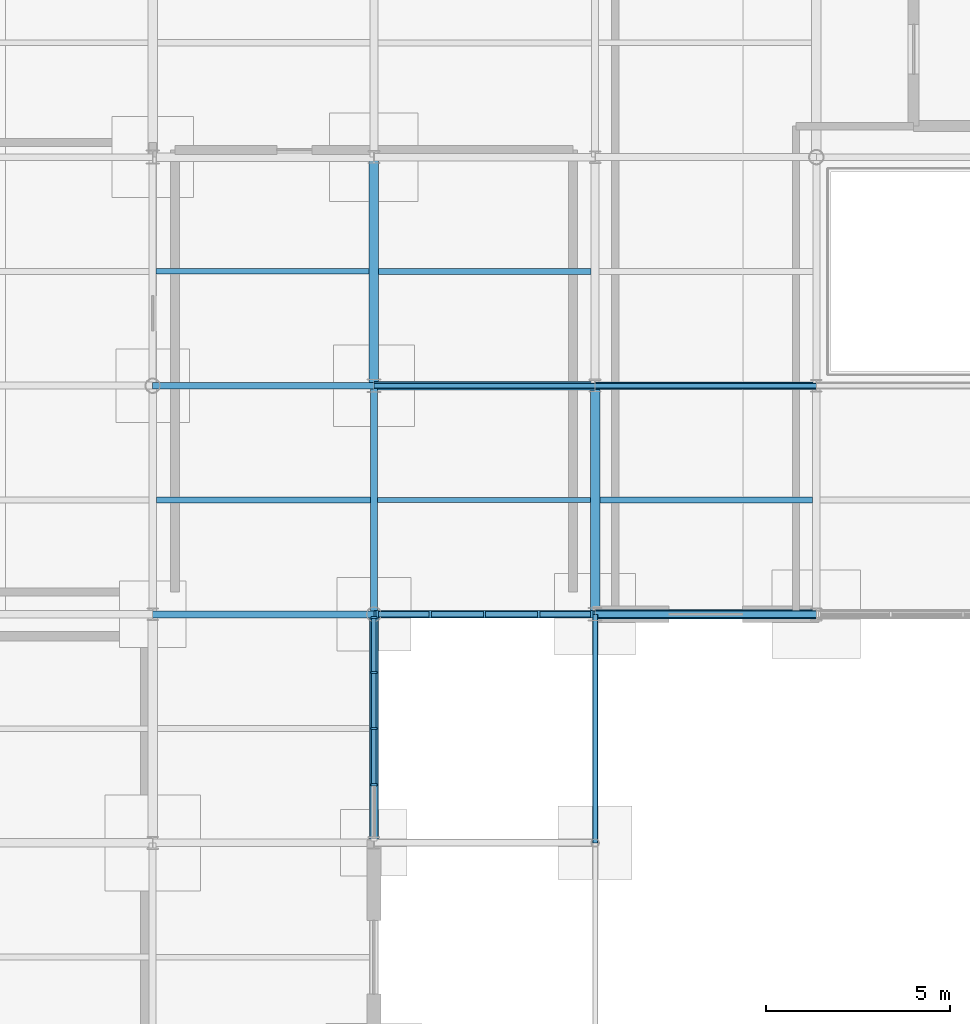
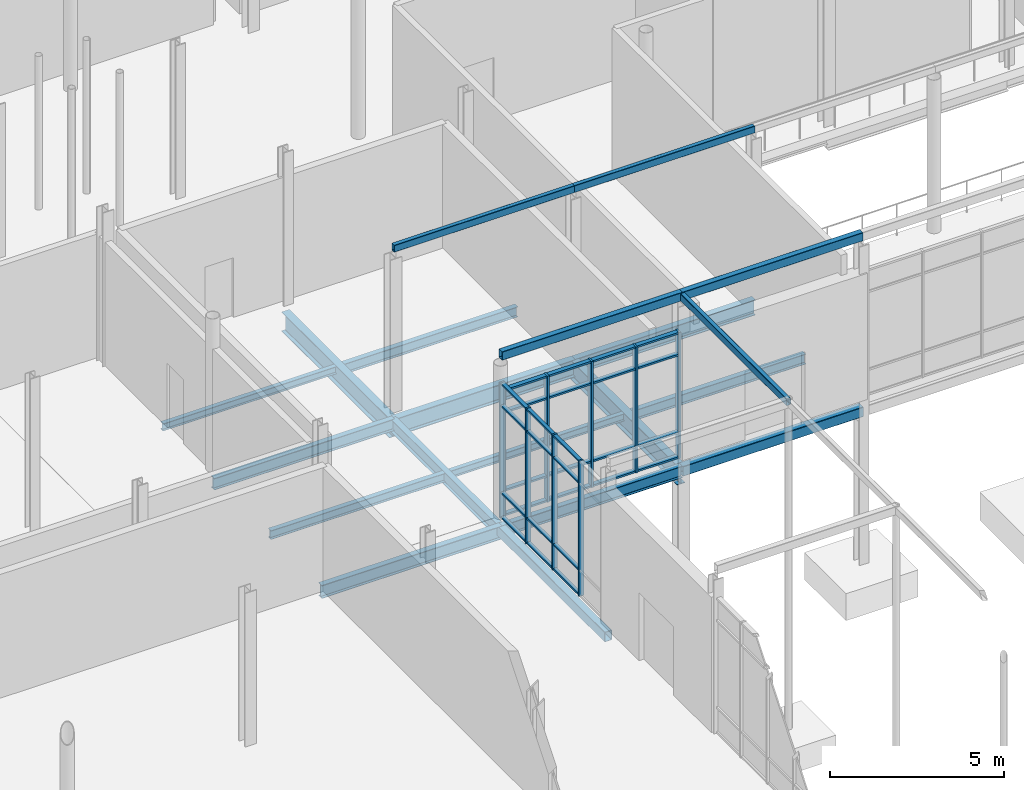
# One storey, part 32 of 98: 37 members, 20 beams, 2 elements without a shape of their own.
"""IFC4 building model written with IfcOpenShell, lengths in metres."""

import ifcopenshell
import ifcopenshell.guid

model = None  # the IFC model being written
_history = None  # IfcOwnerHistory: only IFC2X3 demands one
_inside = {}  # id of a spatial element -> (the spatial element, [elements in it])
_under = {}  # id of a project, library or spatial element -> (it, [spatial elements below it])
_declared = {}  # id of a project -> (the project, [libraries it declares])
_typed = {}  # id of a type object -> (the type object, [elements of that type])
_made_of = {}  # id of a material, layer set ... -> (it, [elements and type objects made of it])


def new_model(schema):
    """Start an empty IFC model of exactly this schema.

    Asked for "IFC4X3", IfcOpenShell would pick the latest addendum, in which some entities
    have other attributes; the version numbers below select the first issue.
    IFC2X3 requires an IfcOwnerHistory on every rooted entity: one is made here for all.
    """
    global model, _history
    if schema == "IFC4X3":
        model = ifcopenshell.file(schema_version=(4, 3, 0, 0))
    else:
        model = ifcopenshell.file(schema=schema)
    _inside.clear()
    _under.clear()
    _declared.clear()
    _typed.clear()
    _made_of.clear()
    _history = None
    if model.schema == "IFC2X3":
        org = make("IfcOrganization", Name="unknown")
        user = make(
            "IfcPersonAndOrganization",
            ThePerson=make("IfcPerson", FamilyName="unknown"),
            TheOrganization=org,
        )
        app = make(
            "IfcApplication",
            ApplicationDeveloper=org,
            Version="unknown",
            ApplicationFullName="unknown",
            ApplicationIdentifier="unknown",
        )
        _history = make(
            "IfcOwnerHistory",
            OwningUser=user,
            OwningApplication=app,
            ChangeAction="ADDED",
            CreationDate=0,
        )
    return model


def make(cls, **values):
    """One entity of the class cls with the attributes given. An attribute that is None is left unset."""
    return model.create_entity(
        cls, **{name: value for name, value in values.items() if value is not None}
    )


def rooted(cls, **values):
    """An entity with a GlobalId (a new one), such as an element, a storey or a relation."""
    return make(cls, GlobalId=ifcopenshell.guid.new(), OwnerHistory=_history, **values)


def si_unit(unit_type, name, prefix=None):
    """IfcSIUnit, for example si_unit("LENGTHUNIT", "METRE", prefix="MILLI")."""
    return make("IfcSIUnit", UnitType=unit_type, Prefix=prefix, Name=name)


def assignment(units):
    """IfcUnitAssignment: the units of a project."""
    return None if units is None else make("IfcUnitAssignment", Units=units)


def point(xyz):
    """IfcCartesianPoint."""
    return None if xyz is None else make("IfcCartesianPoint", Coordinates=xyz)


def direction(xyz):
    """IfcDirection."""
    return None if xyz is None else make("IfcDirection", DirectionRatios=xyz)


def frame(location, z_axis=None, x_axis=None):
    """IfcAxis2Placement3D, a coordinate frame: its origin and axes. An axis left out is left unset."""
    return make(
        "IfcAxis2Placement3D",
        Location=point(location),
        Axis=direction(z_axis),
        RefDirection=direction(x_axis),
    )


def frame_2d(location, x_axis=None):
    """IfcAxis2Placement2D, a coordinate frame in the plane: its origin and x axis."""
    return make(
        "IfcAxis2Placement2D", Location=point(location), RefDirection=direction(x_axis)
    )


def origin():
    """The frame at (0, 0, 0) with its axes left unset."""
    return frame((0.0, 0.0, 0.0))


def origin_2d():
    """The frame at (0, 0) in the plane with its x axis left unset."""
    return frame_2d((0.0, 0.0))


def place(relative_to, where):
    """IfcLocalPlacement: puts the frame where relative to a parent placement (None: the world)."""
    return make(
        "IfcLocalPlacement", PlacementRelTo=relative_to, RelativePlacement=where
    )


def context(
    kind, dimensions, precision=None, world=None, true_north=None, identifier=None
):
    """IfcGeometricRepresentationContext, for example the 3D "Model" context."""
    return make(
        "IfcGeometricRepresentationContext",
        ContextIdentifier=identifier,
        ContextType=kind,
        CoordinateSpaceDimension=dimensions,
        Precision=precision,
        WorldCoordinateSystem=world,
        TrueNorth=true_north,
    )


def subcontext(parent, identifier, kind, view, scale=None):
    """IfcGeometricRepresentationSubContext, for example "Body" below "Model"."""
    return make(
        "IfcGeometricRepresentationSubContext",
        ContextIdentifier=identifier,
        ContextType=kind,
        ParentContext=parent,
        TargetScale=scale,
        TargetView=view,
    )


def project(units=None, contexts=None):
    """IfcProject with its units and contexts."""
    return rooted(
        "IfcProject",
        Name="project",
        RepresentationContexts=contexts,
        UnitsInContext=assignment(units),
    )


def spatial(cls, under=None, at=None, **own):
    """A site, building, storey or space (cls), placed at a placement, below another one or the project."""
    s = rooted(cls, ObjectPlacement=at, **own)
    if under is not None:
        _under.setdefault(under.id(), (under, []))[1].append(s)
    return s


def profile(cls, at=None, kind="AREA", **sizes):
    """A parametric profile (cls). Its sizes go by their IFC names, for example OverallWidth=200.0."""
    return make(cls, ProfileType=kind, Position=at, **sizes)


def rectangle(**sizes):
    """IfcRectangleProfileDef."""
    return profile("IfcRectangleProfileDef", **sizes)


def hollow_rectangle(**sizes):
    """IfcRectangleHollowProfileDef."""
    return profile("IfcRectangleHollowProfileDef", **sizes)


def i_section(**sizes):
    """IfcIShapeProfileDef."""
    return profile("IfcIShapeProfileDef", **sizes)


def extrude(swept, where, along, depth):
    """IfcExtrudedAreaSolid: the profile swept, set in the frame where, extruded along a direction by depth."""
    return make(
        "IfcExtrudedAreaSolid",
        SweptArea=swept,
        Position=where,
        ExtrudedDirection=direction(along),
        Depth=depth,
    )


def shape(context_of_items, identifier, shape_type, items):
    """IfcShapeRepresentation: the items that make up one representation, for example the "Body"."""
    return make(
        "IfcShapeRepresentation",
        ContextOfItems=context_of_items,
        RepresentationIdentifier=identifier,
        RepresentationType=shape_type,
        Items=items,
    )


def material(Name=None, Category=None):
    """IfcMaterial."""
    return make("IfcMaterial", Name=Name, Category=Category)


def layer(
    of_material, thickness, ventilated=None, Name=None, Category=None, Priority=None
):
    """IfcMaterialLayer: one layer of a wall or slab, of a material (None: an air gap)."""
    return make(
        "IfcMaterialLayer",
        Material=of_material,
        LayerThickness=thickness,
        IsVentilated=ventilated,
        Name=Name,
        Category=Category,
        Priority=Priority,
    )


def layer_set(layers, Name=None):
    """IfcMaterialLayerSet."""
    return make("IfcMaterialLayerSet", MaterialLayers=layers, LayerSetName=Name)


def material_profile(
    of_material, cross_section, Name=None, Category=None, Priority=None
):
    """IfcMaterialProfile: a cross section and its material."""
    return make(
        "IfcMaterialProfile",
        Name=Name,
        Material=of_material,
        Profile=cross_section,
        Priority=Priority,
        Category=Category,
    )


def profile_set(profiles, Name=None, composite=None):
    """IfcMaterialProfileSet."""
    return make(
        "IfcMaterialProfileSet",
        Name=Name,
        MaterialProfiles=profiles,
        CompositeProfile=composite,
    )


def made_of(thing, what):
    """Note that an element or type object is made of a material, layer set ...; save() writes the relation."""
    if what is not None:
        _made_of.setdefault(what.id(), (what, []))[1].append(thing)
    return thing


def type_object(cls, material=None, **own):
    """A type object (cls), such as IfcWallType, which elements share."""
    return made_of(rooted(cls, **own), material)


def element(
    cls,
    number,
    at=None,
    inside=None,
    cuts=None,
    type_object=None,
    material=None,
    context=None,
    identifier="Body",
    shape_type=None,
    held_by="IfcProductDefinitionShape",
    body=None,
    shapes=None,
    **own,
):
    """One element of the class cls, such as IfcWall. Its Tag is "e" and its number.

    at: its placement. inside: the storey or other place that contains it. cuts: it is an
    opening in that element (IfcRelVoidsElement). A single representation is given by context,
    identifier, shape_type and body (its items); several are given by shapes. held_by: the class
    of the entity that holds the representations. save() writes the other relations.
    """
    e = rooted(cls, Tag="e%d" % number, ObjectPlacement=at, **own)
    if body is not None:
        shapes = [shape(context, identifier, shape_type, body)]
    if shapes is not None:
        e.Representation = make(held_by, Representations=shapes)
    if inside is not None:
        _inside.setdefault(inside.id(), (inside, []))[1].append(e)
    if cuts is not None:
        rooted(
            "IfcRelVoidsElement", RelatingBuildingElement=cuts, RelatedOpeningElement=e
        )
    if type_object is not None:
        _typed.setdefault(type_object.id(), (type_object, []))[1].append(e)
    return made_of(e, material)


def aggregate(whole, parts):
    """IfcRelAggregates: a whole, such as a stair, and the parts it consists of."""
    return rooted("IfcRelAggregates", RelatingObject=whole, RelatedObjects=parts)


def save(model, path):
    """Write the relations noted so far, then the file.

    IfcRelAggregates (storeys below a building ...), IfcRelContainedInSpatialStructure (elements
    in a storey), IfcRelDefinesByType, IfcRelAssociatesMaterial and IfcRelDeclares: one each for
    every whole, place, type object, material and project.
    """
    for whole, parts in _under.values():
        aggregate(whole, parts)
    for where, things in _inside.values():
        rooted(
            "IfcRelContainedInSpatialStructure",
            RelatedElements=things,
            RelatingStructure=where,
        )
    for kind, things in _typed.values():
        rooted("IfcRelDefinesByType", RelatedObjects=things, RelatingType=kind)
    for what, things in _made_of.values():
        rooted("IfcRelAssociatesMaterial", RelatedObjects=things, RelatingMaterial=what)
    for by, libraries in _declared.values():
        rooted("IfcRelDeclares", RelatingContext=by, RelatedDefinitions=libraries)
    model.write(path)


model = new_model("IFC4")

# Units and contexts
model_context = context("Model", 3, precision=1e-05, world=origin(), true_north=direction((0.0, 1.0)))
body_context = subcontext(model_context, "Body", "Model", "MODEL_VIEW")
ifc_project = project(units=[si_unit("LENGTHUNIT", "METRE"), si_unit("AREAUNIT", "SQUARE_METRE"), si_unit("VOLUMEUNIT", "CUBIC_METRE"), si_unit("PLANEANGLEUNIT", "RADIAN"), si_unit("MASSUNIT", "GRAM", prefix="KILO")], contexts=[model_context])

# Site, building, storey
site_placement = place(None, origin())
site = spatial("IfcSite", under=ifc_project, at=site_placement, CompositionType="ELEMENT")
building_placement = place(site_placement, origin())
building = spatial("IfcBuilding", under=site, at=building_placement, Name="Mirzam Square Science Centre", CompositionType="ELEMENT")
storey_placement = place(building_placement, origin())
storey = spatial("IfcBuildingStorey", under=building, at=storey_placement, Name="L00", CompositionType="ELEMENT", Elevation=0.0)

# Beams
ifc_material_1 = material(Name="Steel S355", Category="steel")
ifc_material_profile_1 = material_profile(ifc_material_1, i_section(OverallWidth=0.1787109375, OverallDepth=0.409423828125, WebThickness=0.0087890625, FlangeThickness=0.014404296875, FilletRadius=0.01025390625, at=origin_2d()), Name="406x178x67UB")
ifc_profile_set_1 = profile_set([ifc_material_profile_1], Name="Steel S355")
beam_type_1 = type_object("IfcBeamType", Name="BM-UB406", PredefinedType="BEAM", material=ifc_profile_set_1)
for number, where, z_axis, x_axis, name in (
    (1, (30.0, 37.199951171875, -0.504638671875), (1.0, 0.0, 0.0), (0.0, 1.0, 0.0), "L00 girder X6-7"),
    (2, (24.0, 43.39990234375, -0.504638671875), (1.0, 0.0, 0.0), (0.0, 1.0, 0.0), "L00 girder X5-8"),
):
    element("IfcBeam", number, at=place(storey_placement, frame(where, z_axis=z_axis, x_axis=x_axis)), inside=storey, type_object=beam_type_1, Name=name, PredefinedType="BEAM", context=body_context, shape_type="SweptSolid", body=[
        extrude(i_section(OverallWidth=0.1787109375, OverallDepth=0.409423828125, WebThickness=0.0087890625, FlangeThickness=0.014404296875, FilletRadius=0.01025390625, at=origin_2d()), origin(), (0.0, 0.0, 1.0), 6.0),
    ])
ifc_material_profile_2 = material_profile(ifc_material_1, i_section(OverallWidth=0.19140625, OverallDepth=0.4599609375, WebThickness=0.010009765625, FlangeThickness=0.01611328125, FilletRadius=0.01025390625, at=origin_2d()), Name="457x191x82UB")
ifc_profile_set_2 = profile_set([ifc_material_profile_2], Name="Steel S355")
beam_type_2 = type_object("IfcBeamType", Name="BM-UB457", PredefinedType="BEAM", material=ifc_profile_set_2)
beam_1_placement = place(storey_placement, frame((24.0, 37.199951171875, -0.530029296875), z_axis=(1.0, 0.0, 0.0), x_axis=(0.0, 1.0, 0.0)))
element("IfcBeam", 3, at=beam_1_placement, inside=storey, type_object=beam_type_2, Name="L00 girder X5-7", PredefinedType="BEAM", context=body_context, shape_type="SweptSolid", body=[
    extrude(i_section(OverallWidth=0.19140625, OverallDepth=0.4599609375, WebThickness=0.010009765625, FlangeThickness=0.01611328125, FilletRadius=0.01025390625, at=origin_2d()), origin(), (0.0, 0.0, 1.0), 6.0),
])
beam_2_placement = place(storey_placement, frame((30.0, 37.199951171875, -0.530029296875), z_axis=(0.0, 1.0, 0.0), x_axis=(-1.0, 0.0, 0.0)))
element("IfcBeam", 4, at=beam_2_placement, inside=storey, type_object=beam_type_2, Name="L00 girder Y6-7", PredefinedType="BEAM", context=body_context, shape_type="SweptSolid", body=[
    extrude(i_section(OverallWidth=0.19140625, OverallDepth=0.4599609375, WebThickness=0.010009765625, FlangeThickness=0.01611328125, FilletRadius=0.01025390625, at=origin_2d()), origin(), (0.0, 0.0, 1.0), 6.199951171875),
])
ifc_material_profile_3 = material_profile(ifc_material_1, i_section(OverallWidth=0.2099609375, OverallDepth=0.53662109375, WebThickness=0.0107421875, FlangeThickness=0.017333984375, FilletRadius=0.0126953125, at=origin_2d()), Name="533x210x101UB")
ifc_profile_set_3 = profile_set([ifc_material_profile_3], Name="Steel S355")
beam_type_3 = type_object("IfcBeamType", Name="BM-UB533", PredefinedType="BEAM", material=ifc_profile_set_3)
beam_3_placement = place(storey_placement, frame((36.0, 43.39990234375, -0.568359375), z_axis=(1.0, 0.0, 0.0), x_axis=(0.0, 1.0, 0.0)))
element("IfcBeam", 5, at=beam_3_placement, inside=storey, type_object=beam_type_3, Name="L00 girder X7-8", PredefinedType="BEAM", context=body_context, shape_type="SweptSolid", body=[
    extrude(i_section(OverallWidth=0.2099609375, OverallDepth=0.53662109375, WebThickness=0.0107421875, FlangeThickness=0.017333984375, FilletRadius=0.0126953125, at=origin_2d()), origin(), (0.0, 0.0, 1.0), 6.0),
])
ifc_material_profile_4 = material_profile(ifc_material_1, i_section(OverallWidth=0.22900390625, OverallDepth=0.6123046875, WebThickness=0.011962890625, FlangeThickness=0.01953125, FilletRadius=0.0126953125, at=origin_2d()), Name="610x229x125UB")
ifc_profile_set_4 = profile_set([ifc_material_profile_4], Name="Steel S355")
beam_type_4 = type_object("IfcBeamType", Name="BM-UB610", PredefinedType="BEAM", material=ifc_profile_set_4)
beam_4_placement = place(storey_placement, frame((30.0, 43.39990234375, -0.606201171875), z_axis=(1.0, 0.0, 0.0), x_axis=(0.0, 1.0, 0.0)))
element("IfcBeam", 6, at=beam_4_placement, inside=storey, type_object=beam_type_4, Name="L00 girder X6-8", PredefinedType="BEAM", context=body_context, shape_type="SweptSolid", body=[
    extrude(i_section(OverallWidth=0.22900390625, OverallDepth=0.6123046875, WebThickness=0.011962890625, FlangeThickness=0.01953125, FilletRadius=0.0126953125, at=origin_2d()), origin(), (0.0, 0.0, 1.0), 6.0),
])
ifc_material_profile_5 = material_profile(ifc_material_1, i_section(OverallWidth=0.25439453125, OverallDepth=0.6875, WebThickness=0.01318359375, FlangeThickness=0.02099609375, FilletRadius=0.01513671875, at=origin_2d()), Name="686x254x152UB")
ifc_profile_set_5 = profile_set([ifc_material_profile_5], Name="Steel S355")
beam_type_5 = type_object("IfcBeamType", Name="BM-UB686", PredefinedType="BEAM", material=ifc_profile_set_5)
beam_5_placement = place(storey_placement, frame((30.0, 43.39990234375, -0.643798828125), z_axis=(0.0, 1.0, 0.0), x_axis=(-1.0, 0.0, 0.0)))
element("IfcBeam", 7, at=beam_5_placement, inside=storey, type_object=beam_type_5, Name="L00 girder Y6-8", PredefinedType="BEAM", context=body_context, shape_type="SweptSolid", body=[
    extrude(i_section(OverallWidth=0.25439453125, OverallDepth=0.6875, WebThickness=0.01318359375, FlangeThickness=0.02099609375, FilletRadius=0.01513671875, at=origin_2d()), origin(), (0.0, 0.0, 1.0), 6.2001953125),
])
beam_6_placement = place(storey_placement, frame((36.0, 37.199951171875, -0.643798828125), z_axis=(0.0, 1.0, 0.0), x_axis=(-1.0, 0.0, 0.0)))
element("IfcBeam", 8, at=beam_6_placement, inside=storey, type_object=beam_type_5, Name="L00 girder Y7-7", PredefinedType="BEAM", context=body_context, shape_type="SweptSolid", body=[
    extrude(i_section(OverallWidth=0.25439453125, OverallDepth=0.6875, WebThickness=0.01318359375, FlangeThickness=0.02099609375, FilletRadius=0.01513671875, at=origin_2d()), origin(), (0.0, 0.0, 1.0), 6.199951171875),
])

# Curtain wall, members
ifc_material_2 = material(Name="Anodised Aluminium and Low-E Solar Glass", Category="aluminium")
ifc_layer_1 = layer(ifc_material_2, 0.219970703125)
ifc_layer_set_1 = layer_set([ifc_layer_1], Name="CW-OBS-A")
curtain_wall_type_1 = type_object("IfcCurtainWallType", Name="CW-OBS-A", PredefinedType="USERDEFINED", material=ifc_layer_set_1)
curtain_wall_1_placement = place(storey_placement, origin())
curtain_wall_1 = element("IfcCurtainWall", 9, at=curtain_wall_1_placement, inside=storey, type_object=curtain_wall_type_1, Name="L00 unitised curtain wall 39", ObjectType="UNITISED CURTAIN WALL", PredefinedType="USERDEFINED")
ifc_material_3 = material(Name="Anodised Architectural Aluminium 6063-T6", Category="aluminium")
ifc_material_profile_6 = material_profile(ifc_material_3, rectangle(XDim=0.06005859375, YDim=0.159912109375, at=origin_2d()), Name="ALU-MULL-160x60x4")
ifc_profile_set_6 = profile_set([ifc_material_profile_6], Name="Anodised Architectural Aluminium 6063-T6")
member_type_1 = type_object("IfcMemberType", Name="CWM-160", PredefinedType="MULLION", material=ifc_profile_set_6)
member_1_placement = place(storey_placement, frame((30.0, 32.577392578125, 0.0), z_axis=(0.0, 0.0, 1.0), x_axis=(0.0, 1.0, 0.0)))
member_1 = element("IfcMember", 10, at=member_1_placement, type_object=member_type_1, Name="CW-07 mullion 2", PredefinedType="MULLION", context=body_context, shape_type="SweptSolid", body=[
    extrude(rectangle(XDim=0.06005859375, YDim=0.159912109375, at=origin_2d()), origin(), (0.0, 0.0, 1.0), 4.760009765625),
])
member_2_placement = place(storey_placement, frame((30.0, 34.10009765625, 0.0), z_axis=(0.0, 0.0, 1.0), x_axis=(0.0, 1.0, 0.0)))
member_2 = element("IfcMember", 11, at=member_2_placement, type_object=member_type_1, Name="CW-07 mullion 3", PredefinedType="MULLION", context=body_context, shape_type="SweptSolid", body=[
    extrude(rectangle(XDim=0.06005859375, YDim=0.159912109375, at=origin_2d()), origin(), (0.0, 0.0, 1.0), 4.760009765625),
])
member_3_placement = place(storey_placement, frame((30.0, 35.62255859375, 0.0), z_axis=(0.0, 0.0, 1.0), x_axis=(0.0, 1.0, 0.0)))
member_3 = element("IfcMember", 12, at=member_3_placement, type_object=member_type_1, Name="CW-07 mullion 4", PredefinedType="MULLION", context=body_context, shape_type="SweptSolid", body=[
    extrude(rectangle(XDim=0.06005859375, YDim=0.159912109375, at=origin_2d()), origin(), (0.0, 0.0, 1.0), 4.760009765625),
])
member_4_placement = place(storey_placement, frame((30.0, 37.114990234375, 0.0), z_axis=(0.0, 0.0, 1.0), x_axis=(0.0, 1.0, 0.0)))
member_4 = element("IfcMember", 13, at=member_4_placement, type_object=member_type_1, Name="CW-07 mullion 5", PredefinedType="MULLION", context=body_context, shape_type="SweptSolid", body=[
    extrude(rectangle(XDim=0.06005859375, YDim=0.159912109375, at=origin_2d()), origin(), (0.0, 0.0, 1.0), 4.760009765625),
])

ifc_layer_2 = layer(ifc_material_2, 0.179931640625)
ifc_layer_set_2 = layer_set([ifc_layer_2], Name="CW-LINK-A")
curtain_wall_type_2 = type_object("IfcCurtainWallType", Name="CW-LINK-A", PredefinedType="USERDEFINED", material=ifc_layer_set_2)
curtain_wall_2_placement = place(storey_placement, origin())
curtain_wall_2 = element("IfcCurtainWall", 14, at=curtain_wall_2_placement, inside=storey, type_object=curtain_wall_type_2, Name="L00 unitised curtain wall 7", ObjectType="UNITISED CURTAIN WALL", PredefinedType="USERDEFINED")
ifc_material_profile_7 = material_profile(ifc_material_3, rectangle(XDim=0.06494140625, YDim=0.199951171875, at=origin_2d()), Name="ALU-MULL-200x65x5")
ifc_profile_set_7 = profile_set([ifc_material_profile_7], Name="Anodised Architectural Aluminium 6063-T6")
member_type_2 = type_object("IfcMemberType", Name="CWM-200", PredefinedType="MULLION", material=ifc_profile_set_7)
member_5_placement = place(storey_placement, frame((30.08740234375, 37.199951171875, 0.0), z_axis=(0.0, 0.0, 1.0), x_axis=(1.0, 0.0, 0.0)))
member_5 = element("IfcMember", 15, at=member_5_placement, type_object=member_type_2, Name="CW-08 mullion 1", PredefinedType="MULLION", context=body_context, shape_type="SweptSolid", body=[
    extrude(rectangle(XDim=0.06494140625, YDim=0.199951171875, at=origin_2d()), origin(), (0.0, 0.0, 1.0), 4.43994140625),
])
member_6_placement = place(storey_placement, frame((31.527587890625, 37.199951171875, 0.0), z_axis=(0.0, 0.0, 1.0), x_axis=(1.0, 0.0, 0.0)))
member_6 = element("IfcMember", 16, at=member_6_placement, type_object=member_type_2, Name="CW-08 mullion 2", PredefinedType="MULLION", context=body_context, shape_type="SweptSolid", body=[
    extrude(rectangle(XDim=0.06494140625, YDim=0.199951171875, at=origin_2d()), origin(), (0.0, 0.0, 1.0), 4.43994140625),
])
member_7_placement = place(storey_placement, frame((33.0, 37.199951171875, 0.0), z_axis=(0.0, 0.0, 1.0), x_axis=(1.0, 0.0, 0.0)))
member_7 = element("IfcMember", 17, at=member_7_placement, type_object=member_type_2, Name="CW-08 mullion 3", PredefinedType="MULLION", context=body_context, shape_type="SweptSolid", body=[
    extrude(rectangle(XDim=0.06494140625, YDim=0.199951171875, at=origin_2d()), origin(), (0.0, 0.0, 1.0), 4.43994140625),
])
member_8_placement = place(storey_placement, frame((34.472412109375, 37.199951171875, 0.0), z_axis=(0.0, 0.0, 1.0), x_axis=(1.0, 0.0, 0.0)))
member_8 = element("IfcMember", 18, at=member_8_placement, type_object=member_type_2, Name="CW-08 mullion 4", PredefinedType="MULLION", context=body_context, shape_type="SweptSolid", body=[
    extrude(rectangle(XDim=0.06494140625, YDim=0.199951171875, at=origin_2d()), origin(), (0.0, 0.0, 1.0), 4.43994140625),
])
member_9_placement = place(storey_placement, frame((35.91259765625, 37.199951171875, 0.0), z_axis=(0.0, 0.0, 1.0), x_axis=(1.0, 0.0, 0.0)))
member_9 = element("IfcMember", 19, at=member_9_placement, type_object=member_type_2, Name="CW-08 mullion 5", PredefinedType="MULLION", context=body_context, shape_type="SweptSolid", body=[
    extrude(rectangle(XDim=0.06494140625, YDim=0.199951171875, at=origin_2d()), origin(), (0.0, 0.0, 1.0), 4.43994140625),
])

# Member
ifc_material_profile_8 = material_profile(ifc_material_3, rectangle(XDim=0.1201171875, YDim=0.06005859375, at=origin_2d()), Name="ALU-TRAN-120x60x4")
ifc_profile_set_8 = profile_set([ifc_material_profile_8], Name="Anodised Architectural Aluminium 6063-T6")
member_type_3 = type_object("IfcMemberType", Name="CWT-120", PredefinedType="USERDEFINED", material=ifc_profile_set_8)
member_10_placement = place(storey_placement, frame((30.0, 32.607421875, 0.030029296875), z_axis=(0.0, 1.0, 0.0), x_axis=(-1.0, 0.0, 0.0)))
member_10 = element("IfcMember", 20, at=member_10_placement, type_object=member_type_3, Name="CW-07 transom 2.1", ObjectType="TRANSOM", PredefinedType="USERDEFINED", context=body_context, shape_type="SweptSolid", body=[
    extrude(rectangle(XDim=0.1201171875, YDim=0.06005859375, at=origin_2d()), origin(), (0.0, 0.0, 1.0), 1.462646484375),
])

member_11_placement = place(storey_placement, frame((30.0, 32.607421875, 0.89990234375), z_axis=(0.0, 1.0, 0.0), x_axis=(-1.0, 0.0, 0.0)))
member_11 = element("IfcMember", 21, at=member_11_placement, type_object=member_type_3, Name="CW-07 transom 2.2", ObjectType="TRANSOM", PredefinedType="USERDEFINED", context=body_context, shape_type="SweptSolid", body=[
    extrude(rectangle(XDim=0.1201171875, YDim=0.06005859375, at=origin_2d()), origin(), (0.0, 0.0, 1.0), 1.462646484375),
])

member_12_placement = place(storey_placement, frame((30.0, 32.607421875, 3.9599609375), z_axis=(0.0, 1.0, 0.0), x_axis=(-1.0, 0.0, 0.0)))
member_12 = element("IfcMember", 22, at=member_12_placement, type_object=member_type_3, Name="CW-07 transom 2.3", ObjectType="TRANSOM", PredefinedType="USERDEFINED", context=body_context, shape_type="SweptSolid", body=[
    extrude(rectangle(XDim=0.1201171875, YDim=0.06005859375, at=origin_2d()), origin(), (0.0, 0.0, 1.0), 1.462646484375),
])

member_13_placement = place(storey_placement, frame((30.0, 32.607421875, 4.72998046875), z_axis=(0.0, 1.0, 0.0), x_axis=(-1.0, 0.0, 0.0)))
member_13 = element("IfcMember", 23, at=member_13_placement, type_object=member_type_3, Name="CW-07 transom 2.4", ObjectType="TRANSOM", PredefinedType="USERDEFINED", context=body_context, shape_type="SweptSolid", body=[
    extrude(rectangle(XDim=0.1201171875, YDim=0.06005859375, at=origin_2d()), origin(), (0.0, 0.0, 1.0), 1.462646484375),
])

member_14_placement = place(storey_placement, frame((30.0, 34.1298828125, 0.030029296875), z_axis=(0.0, 1.0, 0.0), x_axis=(-1.0, 0.0, 0.0)))
member_14 = element("IfcMember", 24, at=member_14_placement, type_object=member_type_3, Name="CW-07 transom 3.1", ObjectType="TRANSOM", PredefinedType="USERDEFINED", context=body_context, shape_type="SweptSolid", body=[
    extrude(rectangle(XDim=0.1201171875, YDim=0.06005859375, at=origin_2d()), origin(), (0.0, 0.0, 1.0), 1.462646484375),
])

member_15_placement = place(storey_placement, frame((30.0, 34.1298828125, 0.89990234375), z_axis=(0.0, 1.0, 0.0), x_axis=(-1.0, 0.0, 0.0)))
member_15 = element("IfcMember", 25, at=member_15_placement, type_object=member_type_3, Name="CW-07 transom 3.2", ObjectType="TRANSOM", PredefinedType="USERDEFINED", context=body_context, shape_type="SweptSolid", body=[
    extrude(rectangle(XDim=0.1201171875, YDim=0.06005859375, at=origin_2d()), origin(), (0.0, 0.0, 1.0), 1.462646484375),
])

member_16_placement = place(storey_placement, frame((30.0, 34.1298828125, 3.9599609375), z_axis=(0.0, 1.0, 0.0), x_axis=(-1.0, 0.0, 0.0)))
member_16 = element("IfcMember", 26, at=member_16_placement, type_object=member_type_3, Name="CW-07 transom 3.3", ObjectType="TRANSOM", PredefinedType="USERDEFINED", context=body_context, shape_type="SweptSolid", body=[
    extrude(rectangle(XDim=0.1201171875, YDim=0.06005859375, at=origin_2d()), origin(), (0.0, 0.0, 1.0), 1.462646484375),
])

member_17_placement = place(storey_placement, frame((30.0, 34.1298828125, 4.72998046875), z_axis=(0.0, 1.0, 0.0), x_axis=(-1.0, 0.0, 0.0)))
member_17 = element("IfcMember", 27, at=member_17_placement, type_object=member_type_3, Name="CW-07 transom 3.4", ObjectType="TRANSOM", PredefinedType="USERDEFINED", context=body_context, shape_type="SweptSolid", body=[
    extrude(rectangle(XDim=0.1201171875, YDim=0.06005859375, at=origin_2d()), origin(), (0.0, 0.0, 1.0), 1.462646484375),
])

member_18_placement = place(storey_placement, frame((30.0, 35.652587890625, 0.030029296875), z_axis=(0.0, 1.0, 0.0), x_axis=(-1.0, 0.0, 0.0)))
member_18 = element("IfcMember", 28, at=member_18_placement, type_object=member_type_3, Name="CW-07 transom 4.1", ObjectType="TRANSOM", PredefinedType="USERDEFINED", context=body_context, shape_type="SweptSolid", body=[
    extrude(rectangle(XDim=0.1201171875, YDim=0.06005859375, at=origin_2d()), origin(), (0.0, 0.0, 1.0), 1.432373046875),
])

member_19_placement = place(storey_placement, frame((30.0, 35.652587890625, 0.89990234375), z_axis=(0.0, 1.0, 0.0), x_axis=(-1.0, 0.0, 0.0)))
member_19 = element("IfcMember", 29, at=member_19_placement, type_object=member_type_3, Name="CW-07 transom 4.2", ObjectType="TRANSOM", PredefinedType="USERDEFINED", context=body_context, shape_type="SweptSolid", body=[
    extrude(rectangle(XDim=0.1201171875, YDim=0.06005859375, at=origin_2d()), origin(), (0.0, 0.0, 1.0), 1.432373046875),
])

member_20_placement = place(storey_placement, frame((30.0, 35.652587890625, 3.9599609375), z_axis=(0.0, 1.0, 0.0), x_axis=(-1.0, 0.0, 0.0)))
member_20 = element("IfcMember", 30, at=member_20_placement, type_object=member_type_3, Name="CW-07 transom 4.3", ObjectType="TRANSOM", PredefinedType="USERDEFINED", context=body_context, shape_type="SweptSolid", body=[
    extrude(rectangle(XDim=0.1201171875, YDim=0.06005859375, at=origin_2d()), origin(), (0.0, 0.0, 1.0), 1.432373046875),
])

member_21_placement = place(storey_placement, frame((30.0, 35.652587890625, 4.72998046875), z_axis=(0.0, 1.0, 0.0), x_axis=(-1.0, 0.0, 0.0)))
member_21 = element("IfcMember", 31, at=member_21_placement, type_object=member_type_3, Name="CW-07 transom 4.4", ObjectType="TRANSOM", PredefinedType="USERDEFINED", context=body_context, shape_type="SweptSolid", body=[
    extrude(rectangle(XDim=0.1201171875, YDim=0.06005859375, at=origin_2d()), origin(), (0.0, 0.0, 1.0), 1.432373046875),
])

aggregate(curtain_wall_1, [member_1, member_2, member_3, member_4, member_10, member_11, member_12, member_13, member_14, member_15, member_16, member_17, member_18, member_19, member_20, member_21])

ifc_material_profile_9 = material_profile(ifc_material_3, rectangle(XDim=0.14990234375, YDim=0.06494140625, at=origin_2d()), Name="ALU-TRAN-150x65x4")
ifc_profile_set_9 = profile_set([ifc_material_profile_9], Name="Anodised Architectural Aluminium 6063-T6")
member_type_4 = type_object("IfcMemberType", Name="CWT-150", PredefinedType="USERDEFINED", material=ifc_profile_set_9)
member_22_placement = place(storey_placement, frame((30.1201171875, 37.199951171875, 0.032470703125), z_axis=(1.0, 0.0, 0.0), x_axis=(0.0, 1.0, 0.0)))
member_22 = element("IfcMember", 32, at=member_22_placement, type_object=member_type_4, Name="CW-08 transom 1.1", ObjectType="TRANSOM", PredefinedType="USERDEFINED", context=body_context, shape_type="SweptSolid", body=[
    extrude(rectangle(XDim=0.14990234375, YDim=0.06494140625, at=origin_2d()), origin(), (0.0, 0.0, 1.0), 1.375),
])

member_23_placement = place(storey_placement, frame((30.1201171875, 37.199951171875, 0.89990234375), z_axis=(1.0, 0.0, 0.0), x_axis=(0.0, 1.0, 0.0)))
member_23 = element("IfcMember", 33, at=member_23_placement, type_object=member_type_4, Name="CW-08 transom 1.2", ObjectType="TRANSOM", PredefinedType="USERDEFINED", context=body_context, shape_type="SweptSolid", body=[
    extrude(rectangle(XDim=0.14990234375, YDim=0.06494140625, at=origin_2d()), origin(), (0.0, 0.0, 1.0), 1.375),
])

member_24_placement = place(storey_placement, frame((30.1201171875, 37.199951171875, 3.639892578125), z_axis=(1.0, 0.0, 0.0), x_axis=(0.0, 1.0, 0.0)))
member_24 = element("IfcMember", 34, at=member_24_placement, type_object=member_type_4, Name="CW-08 transom 1.3", ObjectType="TRANSOM", PredefinedType="USERDEFINED", context=body_context, shape_type="SweptSolid", body=[
    extrude(rectangle(XDim=0.14990234375, YDim=0.06494140625, at=origin_2d()), origin(), (0.0, 0.0, 1.0), 1.375),
])

member_25_placement = place(storey_placement, frame((30.1201171875, 37.199951171875, 4.407470703125), z_axis=(1.0, 0.0, 0.0), x_axis=(0.0, 1.0, 0.0)))
member_25 = element("IfcMember", 35, at=member_25_placement, type_object=member_type_4, Name="CW-08 transom 1.4", ObjectType="TRANSOM", PredefinedType="USERDEFINED", context=body_context, shape_type="SweptSolid", body=[
    extrude(rectangle(XDim=0.14990234375, YDim=0.06494140625, at=origin_2d()), origin(), (0.0, 0.0, 1.0), 1.375),
])

member_26_placement = place(storey_placement, frame((31.56005859375, 37.199951171875, 0.032470703125), z_axis=(1.0, 0.0, 0.0), x_axis=(0.0, 1.0, 0.0)))
member_26 = element("IfcMember", 36, at=member_26_placement, type_object=member_type_4, Name="CW-08 transom 2.1", ObjectType="TRANSOM", PredefinedType="USERDEFINED", context=body_context, shape_type="SweptSolid", body=[
    extrude(rectangle(XDim=0.14990234375, YDim=0.06494140625, at=origin_2d()), origin(), (0.0, 0.0, 1.0), 1.407470703125),
])

member_27_placement = place(storey_placement, frame((31.56005859375, 37.199951171875, 0.89990234375), z_axis=(1.0, 0.0, 0.0), x_axis=(0.0, 1.0, 0.0)))
member_27 = element("IfcMember", 37, at=member_27_placement, type_object=member_type_4, Name="CW-08 transom 2.2", ObjectType="TRANSOM", PredefinedType="USERDEFINED", context=body_context, shape_type="SweptSolid", body=[
    extrude(rectangle(XDim=0.14990234375, YDim=0.06494140625, at=origin_2d()), origin(), (0.0, 0.0, 1.0), 1.407470703125),
])

member_28_placement = place(storey_placement, frame((31.56005859375, 37.199951171875, 3.639892578125), z_axis=(1.0, 0.0, 0.0), x_axis=(0.0, 1.0, 0.0)))
member_28 = element("IfcMember", 38, at=member_28_placement, type_object=member_type_4, Name="CW-08 transom 2.3", ObjectType="TRANSOM", PredefinedType="USERDEFINED", context=body_context, shape_type="SweptSolid", body=[
    extrude(rectangle(XDim=0.14990234375, YDim=0.06494140625, at=origin_2d()), origin(), (0.0, 0.0, 1.0), 1.407470703125),
])

member_29_placement = place(storey_placement, frame((31.56005859375, 37.199951171875, 4.407470703125), z_axis=(1.0, 0.0, 0.0), x_axis=(0.0, 1.0, 0.0)))
member_29 = element("IfcMember", 39, at=member_29_placement, type_object=member_type_4, Name="CW-08 transom 2.4", ObjectType="TRANSOM", PredefinedType="USERDEFINED", context=body_context, shape_type="SweptSolid", body=[
    extrude(rectangle(XDim=0.14990234375, YDim=0.06494140625, at=origin_2d()), origin(), (0.0, 0.0, 1.0), 1.407470703125),
])

member_30_placement = place(storey_placement, frame((33.032470703125, 37.199951171875, 0.032470703125), z_axis=(1.0, 0.0, 0.0), x_axis=(0.0, 1.0, 0.0)))
member_30 = element("IfcMember", 40, at=member_30_placement, type_object=member_type_4, Name="CW-08 transom 3.1", ObjectType="TRANSOM", PredefinedType="USERDEFINED", context=body_context, shape_type="SweptSolid", body=[
    extrude(rectangle(XDim=0.14990234375, YDim=0.06494140625, at=origin_2d()), origin(), (0.0, 0.0, 1.0), 1.407470703125),
])

member_31_placement = place(storey_placement, frame((33.032470703125, 37.199951171875, 0.89990234375), z_axis=(1.0, 0.0, 0.0), x_axis=(0.0, 1.0, 0.0)))
member_31 = element("IfcMember", 41, at=member_31_placement, type_object=member_type_4, Name="CW-08 transom 3.2", ObjectType="TRANSOM", PredefinedType="USERDEFINED", context=body_context, shape_type="SweptSolid", body=[
    extrude(rectangle(XDim=0.14990234375, YDim=0.06494140625, at=origin_2d()), origin(), (0.0, 0.0, 1.0), 1.407470703125),
])

member_32_placement = place(storey_placement, frame((33.032470703125, 37.199951171875, 3.639892578125), z_axis=(1.0, 0.0, 0.0), x_axis=(0.0, 1.0, 0.0)))
member_32 = element("IfcMember", 42, at=member_32_placement, type_object=member_type_4, Name="CW-08 transom 3.3", ObjectType="TRANSOM", PredefinedType="USERDEFINED", context=body_context, shape_type="SweptSolid", body=[
    extrude(rectangle(XDim=0.14990234375, YDim=0.06494140625, at=origin_2d()), origin(), (0.0, 0.0, 1.0), 1.407470703125),
])

member_33_placement = place(storey_placement, frame((33.032470703125, 37.199951171875, 4.407470703125), z_axis=(1.0, 0.0, 0.0), x_axis=(0.0, 1.0, 0.0)))
member_33 = element("IfcMember", 43, at=member_33_placement, type_object=member_type_4, Name="CW-08 transom 3.4", ObjectType="TRANSOM", PredefinedType="USERDEFINED", context=body_context, shape_type="SweptSolid", body=[
    extrude(rectangle(XDim=0.14990234375, YDim=0.06494140625, at=origin_2d()), origin(), (0.0, 0.0, 1.0), 1.407470703125),
])

member_34_placement = place(storey_placement, frame((34.5048828125, 37.199951171875, 0.032470703125), z_axis=(1.0, 0.0, 0.0), x_axis=(0.0, 1.0, 0.0)))
member_34 = element("IfcMember", 44, at=member_34_placement, type_object=member_type_4, Name="CW-08 transom 4.1", ObjectType="TRANSOM", PredefinedType="USERDEFINED", context=body_context, shape_type="SweptSolid", body=[
    extrude(rectangle(XDim=0.14990234375, YDim=0.06494140625, at=origin_2d()), origin(), (0.0, 0.0, 1.0), 1.375),
])

member_35_placement = place(storey_placement, frame((34.5048828125, 37.199951171875, 0.89990234375), z_axis=(1.0, 0.0, 0.0), x_axis=(0.0, 1.0, 0.0)))
member_35 = element("IfcMember", 45, at=member_35_placement, type_object=member_type_4, Name="CW-08 transom 4.2", ObjectType="TRANSOM", PredefinedType="USERDEFINED", context=body_context, shape_type="SweptSolid", body=[
    extrude(rectangle(XDim=0.14990234375, YDim=0.06494140625, at=origin_2d()), origin(), (0.0, 0.0, 1.0), 1.375),
])

member_36_placement = place(storey_placement, frame((34.5048828125, 37.199951171875, 3.639892578125), z_axis=(1.0, 0.0, 0.0), x_axis=(0.0, 1.0, 0.0)))
member_36 = element("IfcMember", 46, at=member_36_placement, type_object=member_type_4, Name="CW-08 transom 4.3", ObjectType="TRANSOM", PredefinedType="USERDEFINED", context=body_context, shape_type="SweptSolid", body=[
    extrude(rectangle(XDim=0.14990234375, YDim=0.06494140625, at=origin_2d()), origin(), (0.0, 0.0, 1.0), 1.375),
])

member_37_placement = place(storey_placement, frame((34.5048828125, 37.199951171875, 4.407470703125), z_axis=(1.0, 0.0, 0.0), x_axis=(0.0, 1.0, 0.0)))
member_37 = element("IfcMember", 47, at=member_37_placement, type_object=member_type_4, Name="CW-08 transom 4.4", ObjectType="TRANSOM", PredefinedType="USERDEFINED", context=body_context, shape_type="SweptSolid", body=[
    extrude(rectangle(XDim=0.14990234375, YDim=0.06494140625, at=origin_2d()), origin(), (0.0, 0.0, 1.0), 1.375),
])

aggregate(curtain_wall_2, [member_5, member_6, member_7, member_8, member_9, member_22, member_23, member_24, member_25, member_26, member_27, member_28, member_29, member_30, member_31, member_32, member_33, member_34, member_35, member_36, member_37])

# Beams
ifc_material_profile_10 = material_profile(ifc_material_1, i_section(OverallWidth=0.146484375, OverallDepth=0.256103515625, WebThickness=0.00634765625, FlangeThickness=0.010986328125, FilletRadius=0.007568359375, at=origin_2d()), Name="254x146x37UB")
ifc_profile_set_10 = profile_set([ifc_material_profile_10], Name="Steel S355")
beam_type_6 = type_object("IfcBeamType", Name="JS-UB254", PredefinedType="JOIST", material=ifc_profile_set_10)
for number, where, z_axis, x_axis, name in (
    (48, (24.095703125, 46.5, -0.427978515625), (1.0, 0.0, 0.0), (0.0, 1.0, 0.0), "L00 composite joist 5-8"),
    (49, (30.095703125, 40.300048828125, -0.427978515625), (1.0, 0.0, 0.0), (0.0, 1.0, 0.0), "L00 composite joist 6-7"),
):
    element("IfcBeam", number, at=place(storey_placement, frame(where, z_axis=z_axis, x_axis=x_axis)), inside=storey, type_object=beam_type_6, Name=name, PredefinedType="JOIST", context=body_context, shape_type="SweptSolid", body=[
        extrude(i_section(OverallWidth=0.146484375, OverallDepth=0.256103515625, WebThickness=0.00634765625, FlangeThickness=0.010986328125, FilletRadius=0.007568359375, at=origin_2d()), origin(), (0.0, 0.0, 1.0), 5.777099609375),
    ])
ifc_material_profile_11 = material_profile(ifc_material_1, i_section(OverallWidth=0.165771484375, OverallDepth=0.306640625, WebThickness=0.006591796875, FlangeThickness=0.01171875, FilletRadius=0.0087890625, at=origin_2d()), Name="305x165x46UB")
ifc_profile_set_11 = profile_set([ifc_material_profile_11], Name="Steel S355")
beam_type_7 = type_object("IfcBeamType", Name="JS-UB305", PredefinedType="JOIST", material=ifc_profile_set_11)
beam_7_placement = place(storey_placement, frame((24.10498046875, 40.300048828125, -0.453369140625), z_axis=(1.0, 0.0, 0.0), x_axis=(0.0, 1.0, 0.0)))
element("IfcBeam", 50, at=beam_7_placement, inside=storey, type_object=beam_type_7, Name="L00 composite joist 5-7", PredefinedType="JOIST", context=body_context, shape_type="SweptSolid", body=[
    extrude(i_section(OverallWidth=0.165771484375, OverallDepth=0.306640625, WebThickness=0.006591796875, FlangeThickness=0.01171875, FilletRadius=0.0087890625, at=origin_2d()), origin(), (0.0, 0.0, 1.0), 5.79931640625),
])
ifc_material_profile_12 = material_profile(ifc_material_1, i_section(OverallWidth=0.172119140625, OverallDepth=0.35791015625, WebThickness=0.008056640625, FlangeThickness=0.012939453125, FilletRadius=0.01025390625, at=origin_2d()), Name="356x171x57UB")
ifc_profile_set_12 = profile_set([ifc_material_profile_12], Name="Steel S355")
beam_type_8 = type_object("IfcBeamType", Name="JS-UB356", PredefinedType="JOIST", material=ifc_profile_set_12)
for number, where, z_axis, x_axis, name in (
    (51, (30.127197265625, 46.5, -0.47900390625), (1.0, 0.0, 0.0), (0.0, 1.0, 0.0), "L00 composite joist 6-8"),
    (52, (36.127197265625, 40.300048828125, -0.47900390625), (1.0, 0.0, 0.0), (0.0, 1.0, 0.0), "L00 composite joist 7-7"),
):
    element("IfcBeam", number, at=place(storey_placement, frame(where, z_axis=z_axis, x_axis=x_axis)), inside=storey, type_object=beam_type_8, Name=name, PredefinedType="JOIST", context=body_context, shape_type="SweptSolid", body=[
        extrude(i_section(OverallWidth=0.172119140625, OverallDepth=0.35791015625, WebThickness=0.008056640625, FlangeThickness=0.012939453125, FilletRadius=0.01025390625, at=origin_2d()), origin(), (0.0, 0.0, 1.0), 5.767822265625),
    ])
ifc_material_profile_13 = material_profile(ifc_material_1, hollow_rectangle(XDim=0.14990234375, YDim=0.25, WallThickness=0.010009765625, InnerFilletRadius=0.010009765625, OuterFilletRadius=0.02001953125, at=origin_2d()), Name="250x150x10.0RHS")
ifc_profile_set_13 = profile_set([ifc_material_profile_13], Name="Steel S355")
beam_type_9 = type_object("IfcBeamType", Name="SP-RHS250", PredefinedType="SPANDREL", material=ifc_profile_set_13)
beam_8_placement = place(storey_placement, frame((36.0, 31.0, 5.669921875), z_axis=(0.0, 1.0, 0.0), x_axis=(-1.0, 0.0, 0.0)))
element("IfcBeam", 53, at=beam_8_placement, inside=storey, type_object=beam_type_9, Name="WARC colonnade longitudinal beam 6", PredefinedType="SPANDREL", context=body_context, shape_type="SweptSolid", body=[
    extrude(hollow_rectangle(XDim=0.14990234375, YDim=0.25, WallThickness=0.010009765625, InnerFilletRadius=0.010009765625, OuterFilletRadius=0.02001953125, at=origin_2d()), origin(), (0.0, 0.0, 1.0), 6.199951171875),
])
for number, where, z_axis, x_axis, name in (
    (54, (30.0, 43.39990234375, 5.669921875), (1.0, 0.0, 0.0), (0.0, 1.0, 0.0), "Square colonnade outer beam 6"),
    (55, (36.0, 43.39990234375, 5.669921875), (1.0, 0.0, 0.0), (0.0, 1.0, 0.0), "Square colonnade outer beam 7"),
):
    element("IfcBeam", number, at=place(storey_placement, frame(where, z_axis=z_axis, x_axis=x_axis)), inside=storey, type_object=beam_type_9, Name=name, PredefinedType="SPANDREL", context=body_context, shape_type="SweptSolid", body=[
        extrude(hollow_rectangle(XDim=0.14990234375, YDim=0.25, WallThickness=0.010009765625, InnerFilletRadius=0.010009765625, OuterFilletRadius=0.02001953125, at=origin_2d()), origin(), (0.0, 0.0, 1.0), 6.0),
    ])
ifc_material_profile_14 = material_profile(ifc_material_1, hollow_rectangle(XDim=0.199951171875, YDim=0.300048828125, WallThickness=0.010009765625, InnerFilletRadius=0.010009765625, OuterFilletRadius=0.02001953125, at=origin_2d()), Name="300x200x10.0RHS")
ifc_profile_set_14 = profile_set([ifc_material_profile_14], Name="Steel S355")
beam_type_10 = type_object("IfcBeamType", Name="SP-RHS300", PredefinedType="SPANDREL", material=ifc_profile_set_14)
for number, where, z_axis, x_axis, name in (
    (56, (30.0, 37.199951171875, 5.669921875), (1.0, 0.0, 0.0), (0.0, 1.0, 0.0), "WARC colonnade beam 7"),
    (57, (36.0, 37.199951171875, 5.669921875), (1.0, 0.0, 0.0), (0.0, 1.0, 0.0), "Square colonnade beam 7"),
):
    element("IfcBeam", number, at=place(storey_placement, frame(where, z_axis=z_axis, x_axis=x_axis)), inside=storey, type_object=beam_type_10, Name=name, PredefinedType="SPANDREL", context=body_context, shape_type="SweptSolid", body=[
        extrude(hollow_rectangle(XDim=0.199951171875, YDim=0.300048828125, WallThickness=0.010009765625, InnerFilletRadius=0.010009765625, OuterFilletRadius=0.02001953125, at=origin_2d()), origin(), (0.0, 0.0, 1.0), 6.0),
    ])
ifc_material_profile_15 = material_profile(ifc_material_1, hollow_rectangle(XDim=0.25, YDim=0.35009765625, WallThickness=0.012451171875, InnerFilletRadius=0.012451171875, OuterFilletRadius=0.02490234375, at=origin_2d()), Name="350x250x12.5RHS")
ifc_profile_set_15 = profile_set([ifc_material_profile_15], Name="Steel S355")
beam_type_11 = type_object("IfcBeamType", Name="SP-RHS350", PredefinedType="SPANDREL", material=ifc_profile_set_15)
beam_9_placement = place(storey_placement, frame((36.0, 37.199951171875, -0.47509765625), z_axis=(1.0, 0.0, 0.0), x_axis=(0.0, 1.0, 0.0)))
element("IfcBeam", 58, at=beam_9_placement, inside=storey, type_object=beam_type_11, Name="L00 girder X7-7", PredefinedType="SPANDREL", context=body_context, shape_type="SweptSolid", body=[
    extrude(hollow_rectangle(XDim=0.25, YDim=0.35009765625, WallThickness=0.012451171875, InnerFilletRadius=0.012451171875, OuterFilletRadius=0.02490234375, at=origin_2d()), origin(), (0.0, 0.0, 1.0), 6.0),
])
beam_10_placement = place(storey_placement, frame((30.0, 31.0, -0.47509765625), z_axis=(0.0, 1.0, 0.0), x_axis=(-1.0, 0.0, 0.0)))
element("IfcBeam", 59, at=beam_10_placement, inside=storey, type_object=beam_type_11, Name="L00 girder Y6-6", PredefinedType="SPANDREL", context=body_context, shape_type="SweptSolid", body=[
    extrude(hollow_rectangle(XDim=0.25, YDim=0.35009765625, WallThickness=0.012451171875, InnerFilletRadius=0.012451171875, OuterFilletRadius=0.02490234375, at=origin_2d()), origin(), (0.0, 0.0, 1.0), 6.199951171875),
])

save(model, "model.ifc")
